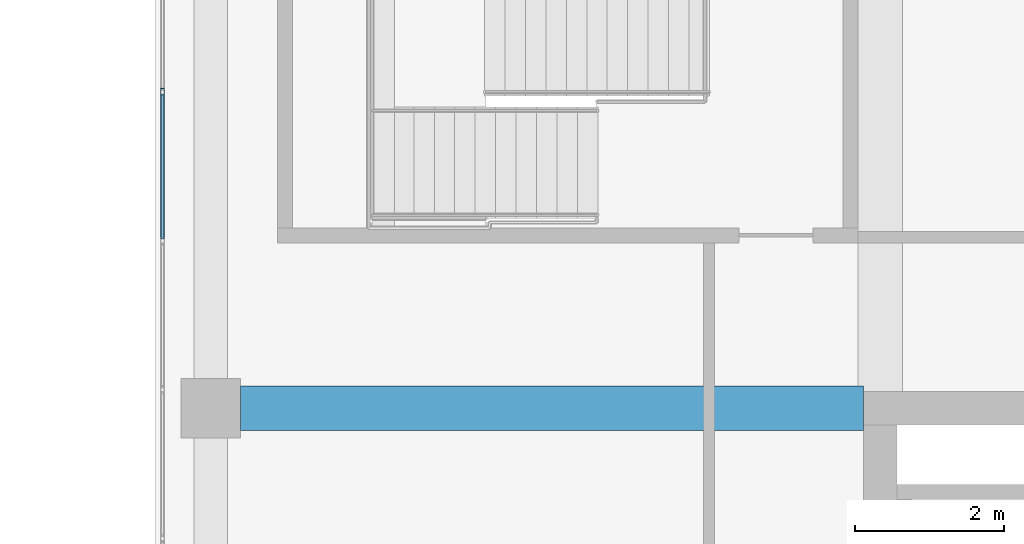
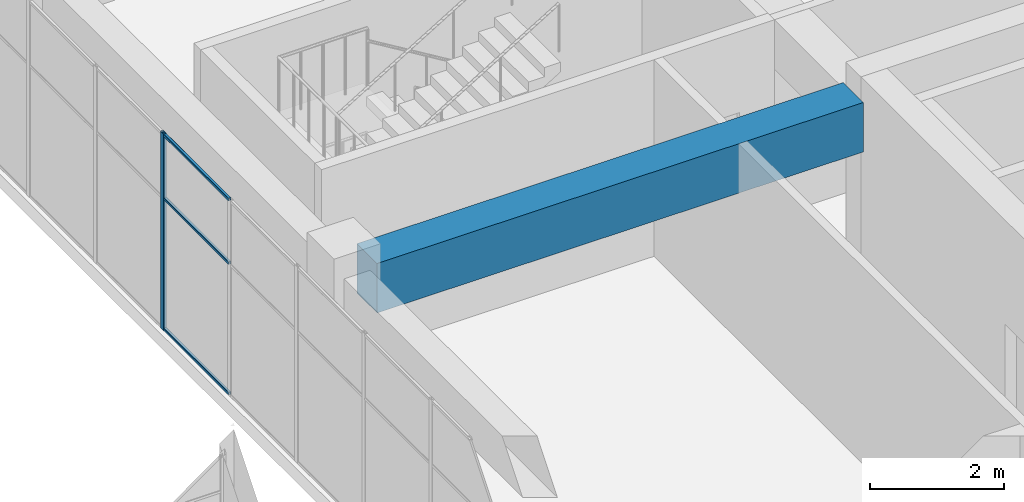
# One storey, part 36 of 72: 4 members, 1 beam, 1 element without a shape of its own.
"""IFC4 building model written with IfcOpenShell, lengths in metres."""

from ifc_helpers import new_model, si_unit, direction, frame, origin, origin_2d, place, context, subcontext, project, spatial, rectangle, hollow_rectangle, extrude, material, layer, layer_set, material_profile, profile_set, type_object, element, aggregate, save


model = new_model("IFC4")

# Units and contexts
model_context = context("Model", 3, precision=1e-05, world=origin(), true_north=direction((0.0, 1.0)))
body_context = subcontext(model_context, "Body", "Model", "MODEL_VIEW")
ifc_project = project(units=[si_unit("LENGTHUNIT", "METRE"), si_unit("AREAUNIT", "SQUARE_METRE"), si_unit("VOLUMEUNIT", "CUBIC_METRE"), si_unit("PLANEANGLEUNIT", "RADIAN"), si_unit("MASSUNIT", "GRAM", prefix="KILO")], contexts=[model_context])

# Site, building, storey
site_placement = place(None, origin())
site = spatial("IfcSite", under=ifc_project, at=site_placement, CompositionType="ELEMENT")
building_placement = place(site_placement, origin())
building = spatial("IfcBuilding", under=site, at=building_placement, Name="Tuart Plaza Theatre", CompositionType="ELEMENT")
storey_placement = place(building_placement, frame((0.0, 0.0, 13.5)))
storey = spatial("IfcBuildingStorey", under=building, at=storey_placement, Name="L03", CompositionType="ELEMENT", Elevation=13.5)

# Beam
ifc_material_1 = material(Name="Concrete N40 (40 MPa)", Category="concrete")
ifc_material_profile_1 = material_profile(ifc_material_1, rectangle(XDim=0.60009765625, YDim=0.89990234375, at=origin_2d()), Name="BEAM 600x900 Concrete N40 (40 MPa)")
ifc_profile_set_1 = profile_set([ifc_material_profile_1], Name="Concrete N40 (40 MPa)")
beam_type = type_object("IfcBeamType", Name="BEAM 600x900 Concrete N40 (40 MPa)", PredefinedType="BEAM", material=ifc_profile_set_1)
beam_placement = place(storey_placement, frame((114.39990234375, 83.0, 3.1298828125), z_axis=(1.0, 0.0, 0.0), x_axis=(0.0, 1.0, 0.0)))
element("IfcBeam", 1, at=beam_placement, inside=storey, type_object=beam_type, Name="RB169", PredefinedType="BEAM", context=body_context, shape_type="SweptSolid", body=[
    extrude(rectangle(XDim=0.60009765625, YDim=0.89990234375, at=origin_2d()), origin(), (0.0, 0.0, 1.0), 8.375),
])

# Curtain wall, members
ifc_material_2 = material(Name="Aluminium and glass", Category="aluminium")
ifc_layer = layer(ifc_material_2, 0.10009765625)
ifc_layer_set = layer_set([ifc_layer], Name="CURTAIN WALL 2000 module")
curtain_wall_type = type_object("IfcCurtainWallType", Name="CURTAIN WALL 2000 module", PredefinedType="NOTDEFINED", material=ifc_layer_set)
curtain_wall_placement = place(storey_placement, origin())
curtain_wall = element("IfcCurtainWall", 2, at=curtain_wall_placement, inside=storey, type_object=curtain_wall_type, Name="CW73", PredefinedType="NOTDEFINED")
ifc_material_3 = material(Name="Aluminium 6063-T5", Category="aluminium")
ifc_material_profile_2 = material_profile(ifc_material_3, hollow_rectangle(XDim=0.050048828125, YDim=0.10009765625, WallThickness=0.00390625, InnerFilletRadius=0.00390625, OuterFilletRadius=0.008056640625, at=origin_2d()), Name="RHS 100x50x4")
ifc_profile_set_2 = profile_set([ifc_material_profile_2], Name="Aluminium 6063-T5")
member_type_1 = type_object("IfcMemberType", Name="MULLION RHS 100x50x4", PredefinedType="MULLION", material=ifc_profile_set_2)
member_1_placement = place(storey_placement, frame((113.35009765625, 87.25, 0.0), z_axis=(0.0, 0.0, 1.0), x_axis=(1.0, 0.0, 0.0)))
member_1 = element("IfcMember", 3, at=member_1_placement, type_object=member_type_1, Name="CW73 mullion 6", PredefinedType="MULLION", context=body_context, shape_type="SweptSolid", body=[
    extrude(hollow_rectangle(XDim=0.050048828125, YDim=0.10009765625, WallThickness=0.00390625, InnerFilletRadius=0.00390625, OuterFilletRadius=0.008056640625, at=origin_2d()), origin(), (0.0, 0.0, 1.0), 3.580078125),
])
ifc_material_4 = material(Name="Aluminium 6063-T5", Category="aluminium")
ifc_material_profile_3 = material_profile(ifc_material_4, hollow_rectangle(XDim=0.050048828125, YDim=0.050048828125, WallThickness=0.00390625, InnerFilletRadius=0.00390625, OuterFilletRadius=0.008056640625, at=origin_2d()), Name="RHS 50x50x4")
ifc_profile_set_3 = profile_set([ifc_material_profile_3], Name="Aluminium 6063-T5")
member_type_2 = type_object("IfcMemberType", Name="TRANSOM RHS 50x50x4", PredefinedType="USERDEFINED", material=ifc_profile_set_3)
member_2_placement = place(storey_placement, frame((113.35009765625, 87.22509765625, 0.02490234375), z_axis=(0.0, -1.0, 0.0), x_axis=(1.0, 0.0, 0.0)))
member_2 = element("IfcMember", 4, at=member_2_placement, type_object=member_type_2, Name="CW73 transom 6.1", ObjectType="TRANSOM", PredefinedType="USERDEFINED", context=body_context, shape_type="SweptSolid", body=[
    extrude(hollow_rectangle(XDim=0.050048828125, YDim=0.050048828125, WallThickness=0.00390625, InnerFilletRadius=0.00390625, OuterFilletRadius=0.008056640625, at=origin_2d()), origin(), (0.0, 0.0, 1.0), 1.9501953125),
])
member_3_placement = place(storey_placement, frame((113.35009765625, 87.22509765625, 2.39990234375), z_axis=(0.0, -1.0, 0.0), x_axis=(1.0, 0.0, 0.0)))
member_3 = element("IfcMember", 5, at=member_3_placement, type_object=member_type_2, Name="CW73 transom 6.2", ObjectType="TRANSOM", PredefinedType="USERDEFINED", context=body_context, shape_type="SweptSolid", body=[
    extrude(hollow_rectangle(XDim=0.050048828125, YDim=0.050048828125, WallThickness=0.00390625, InnerFilletRadius=0.00390625, OuterFilletRadius=0.008056640625, at=origin_2d()), origin(), (0.0, 0.0, 1.0), 1.9501953125),
])
member_4_placement = place(storey_placement, frame((113.35009765625, 87.22509765625, 3.554931640625), z_axis=(0.0, -1.0, 0.0), x_axis=(1.0, 0.0, 0.0)))
member_4 = element("IfcMember", 6, at=member_4_placement, type_object=member_type_2, Name="CW73 transom 6.3", ObjectType="TRANSOM", PredefinedType="USERDEFINED", context=body_context, shape_type="SweptSolid", body=[
    extrude(hollow_rectangle(XDim=0.050048828125, YDim=0.050048828125, WallThickness=0.00390625, InnerFilletRadius=0.00390625, OuterFilletRadius=0.008056640625, at=origin_2d()), origin(), (0.0, 0.0, 1.0), 1.9501953125),
])
aggregate(curtain_wall, [member_1, member_2, member_3, member_4])

save(model, "model.ifc")
